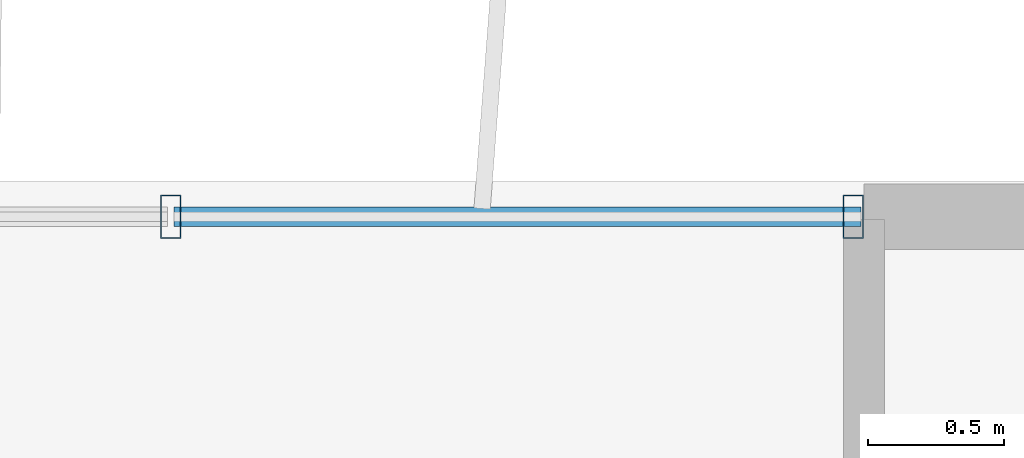
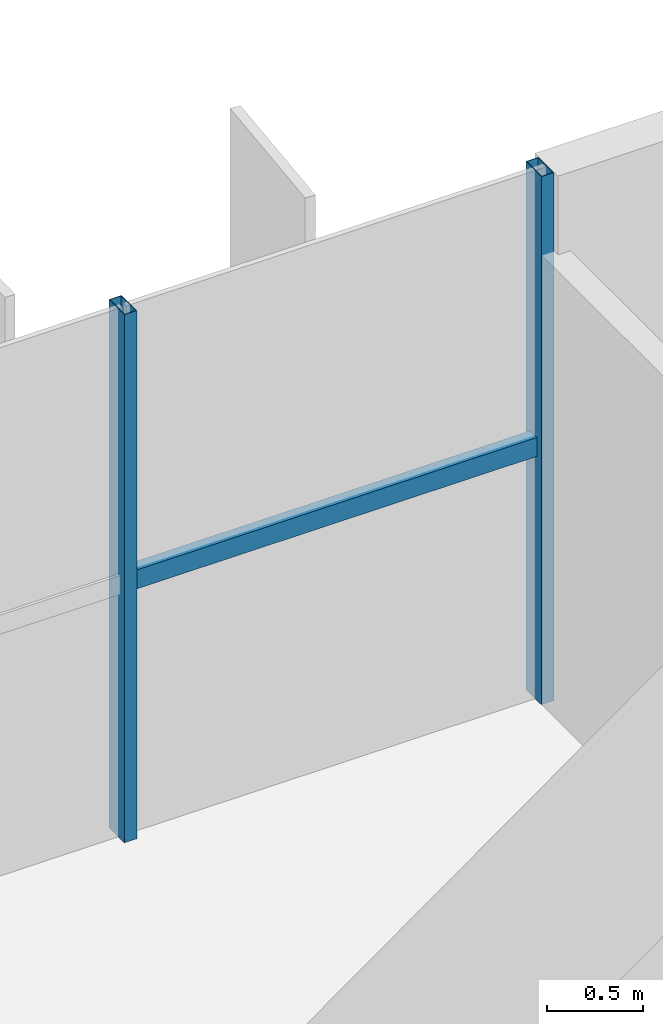
# One storey, part 12 of 21: 3 members, 1 element without a shape of its own.
"""IFC4 building model written with IfcOpenShell, lengths in metres."""

from ifc_helpers import new_model, si_unit, direction, frame, origin, origin_2d, place, context, subcontext, project, spatial, hollow_rectangle, extrude, source, transform, mapped, material, material_profile, profile_set, type_object, element, aggregate, save


model = new_model("IFC4")

# Units and contexts
model_context = context("Model", 3, precision=1e-05, world=origin(), true_north=direction((0.0, 1.0)))
body_context = subcontext(model_context, "Body", "Model", "MODEL_VIEW")
ifc_project = project(units=[si_unit("LENGTHUNIT", "METRE"), si_unit("AREAUNIT", "SQUARE_METRE"), si_unit("VOLUMEUNIT", "CUBIC_METRE"), si_unit("PLANEANGLEUNIT", "RADIAN"), si_unit("MASSUNIT", "GRAM", prefix="KILO")], contexts=[model_context])

# Site, building, storey
site_placement = place(None, origin())
site = spatial("IfcSite", under=ifc_project, at=site_placement, CompositionType="ELEMENT")
building_placement = place(site_placement, origin())
building = spatial("IfcBuilding", under=site, at=building_placement, Name="Trelvane Seafront Commons", CompositionType="ELEMENT")
storey_placement = place(building_placement, frame((0.0, 0.0, 135.699951171875)))
storey = spatial("IfcBuildingStorey", under=building, at=storey_placement, Name="L35", CompositionType="ELEMENT", Elevation=135.699951171875)

# Curtain wall, members
ifc_material = material(Name="Anodised pale-silver aluminium", Category="aluminium")
curtain_wall_type = type_object("IfcCurtainWallType", Name="ARCH-CW5-UPTOWER", PredefinedType="NOTDEFINED", material=ifc_material)
curtain_wall_placement = place(storey_placement, origin())
curtain_wall = element("IfcCurtainWall", 1, at=curtain_wall_placement, inside=storey, type_object=curtain_wall_type, Name="CW-L35-0062", PredefinedType="NOTDEFINED")
ifc_material_profile_1 = material_profile(ifc_material, hollow_rectangle(XDim=0.070068359375, YDim=0.1201171875, WallThickness=0.00390625, at=origin_2d()), Name="TRAN-70x120x4")
ifc_profile_set_1 = profile_set([ifc_material_profile_1], Name="Anodised pale-silver aluminium")
member_type_1 = type_object("IfcMemberType", Name="ARCH-CW-TRAN-120", PredefinedType="USERDEFINED", material=ifc_profile_set_1)
shared_shape_1 = source(origin(), body_context, "Body", "SweptSolid", [
    extrude(hollow_rectangle(XDim=0.070068359375, YDim=0.1201171875, WallThickness=0.00390625, at=origin_2d()), origin(), (0.0, 0.0, 1.0), 2.517333984375),
])
member_1_placement = place(storey_placement, frame((56.270751953125, 48.3701171875, 1.608154296875), z_axis=(1.0, 0.0, 0.0), x_axis=(0.0, 1.0, 0.0)))
member_1 = element("IfcMember", 2, at=member_1_placement, type_object=member_type_1, Name="CW-L35-0062-T16", ObjectType="TRANSOM", PredefinedType="USERDEFINED", context=body_context, shape_type="MappedRepresentation", body=[
    mapped(shared_shape_1, transform((0.0, 0.0, 0.0), x_axis=(1.0, 0.0, 0.0), y_axis=(0.0, 1.0, 0.0), z_axis=(0.0, 0.0, 1.0), scale=1.0)),
])
ifc_material_profile_2 = material_profile(ifc_material, hollow_rectangle(XDim=0.074951171875, YDim=0.159912109375, WallThickness=0.00390625, at=origin_2d()), Name="MULL-75x160x4")
ifc_profile_set_2 = profile_set([ifc_material_profile_2], Name="Anodised pale-silver aluminium")
member_type_2 = type_object("IfcMemberType", Name="ARCH-CW-MULL-160", PredefinedType="MULLION", material=ifc_profile_set_2)
shared_shape_2 = source(origin(), body_context, "Body", "SweptSolid", [
    extrude(hollow_rectangle(XDim=0.074951171875, YDim=0.159912109375, WallThickness=0.00390625, at=origin_2d()), origin(), (0.0, 0.0, 1.0), 3.35009765625),
])
member_2_placement = place(storey_placement, frame((56.2587890625, 48.3701171875, 0.0), z_axis=(0.0, 0.0, 1.0), x_axis=(1.0, 0.0, 0.0)))
member_2 = element("IfcMember", 3, at=member_2_placement, type_object=member_type_2, Name="CW-L35-0062-M16", PredefinedType="MULLION", context=body_context, shape_type="MappedRepresentation", body=[
    mapped(shared_shape_2, transform((0.0, 0.0, 0.0), x_axis=(1.0, 0.0, 0.0), y_axis=(0.0, 1.0, 0.0), z_axis=(0.0, 0.0, 1.0), scale=1.0)),
])
member_3_placement = place(storey_placement, frame((58.760009765625, 48.3701171875, 0.0), z_axis=(0.0, 0.0, 1.0), x_axis=(1.0, 0.0, 0.0)))
member_3 = element("IfcMember", 4, at=member_3_placement, type_object=member_type_2, Name="CW-L35-0062-M17", PredefinedType="MULLION", context=body_context, shape_type="MappedRepresentation", body=[
    mapped(shared_shape_2, transform((0.0, 0.0, 0.0), x_axis=(1.0, 0.0, 0.0), y_axis=(0.0, 1.0, 0.0), z_axis=(0.0, 0.0, 1.0), scale=1.0)),
])
aggregate(curtain_wall, [member_2, member_3, member_1])

save(model, "model.ifc")
